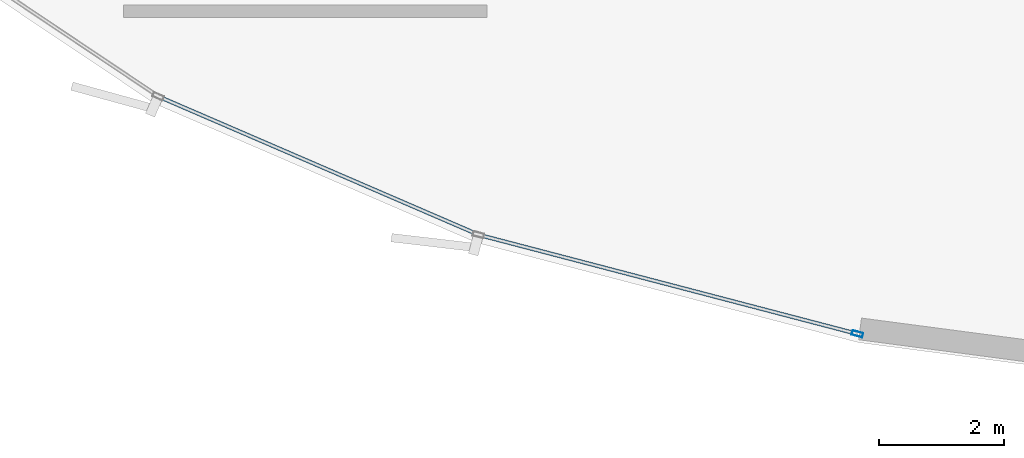
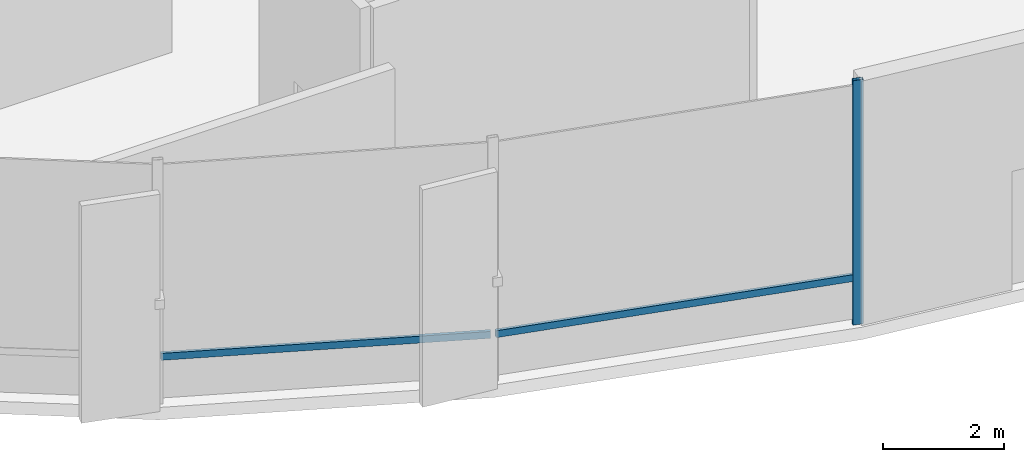
# One storey, part 3 of 35: 3 members, 1 element without a shape of its own.
"""IFC4 building model written with IfcOpenShell, lengths in metres."""

from ifc_helpers import new_model, si_unit, direction, frame, origin, origin_2d, place, context, subcontext, project, spatial, hollow_rectangle, extrude, source, transform, mapped, material, layer, layer_set, material_profile, profile_set, type_object, element, aggregate, save


model = new_model("IFC4")

# Units and contexts
model_context = context("Model", 3, precision=1e-05, world=origin(), true_north=direction((0.0, 1.0)))
body_context = subcontext(model_context, "Body", "Model", "MODEL_VIEW")
ifc_project = project(units=[si_unit("LENGTHUNIT", "METRE"), si_unit("AREAUNIT", "SQUARE_METRE"), si_unit("VOLUMEUNIT", "CUBIC_METRE"), si_unit("PLANEANGLEUNIT", "RADIAN"), si_unit("MASSUNIT", "GRAM", prefix="KILO"), si_unit("THERMODYNAMICTEMPERATUREUNIT", "KELVIN")], contexts=[model_context])

# Site, building, storey
site_placement = place(None, origin())
site = spatial("IfcSite", under=ifc_project, at=site_placement, CompositionType="ELEMENT")
building_placement = place(site_placement, origin())
building = spatial("IfcBuilding", under=site, at=building_placement, Name="Kethvar Cultural Tower", CompositionType="ELEMENT")
storey_placement = place(building_placement, origin())
storey = spatial("IfcBuildingStorey", under=building, at=storey_placement, Name="L00", CompositionType="ELEMENT", Elevation=0.0)

# Curtain wall, members
ifc_material = material(Name="Aluminium 6063-T6", Category="aluminium")
ifc_layer = layer(ifc_material, 0.179931640625, Name="Aluminium 6063-T6", Category="aluminium")
ifc_layer_set = layer_set([ifc_layer], Name="Aluminium 6063-T6 (180 mm)")
curtain_wall_type = type_object("IfcCurtainWallType", Name="CW-SYS-01-POD", PredefinedType="NOTDEFINED", material=ifc_layer_set)
curtain_wall_placement = place(storey_placement, origin())
curtain_wall = element("IfcCurtainWall", 1, at=curtain_wall_placement, inside=storey, type_object=curtain_wall_type, Name="L00 Curtain Wall Run 03", PredefinedType="NOTDEFINED")
ifc_material_profile_1 = material_profile(ifc_material, hollow_rectangle(XDim=0.074951171875, YDim=0.179931640625, WallThickness=0.006103515625, at=origin_2d()), Name="Aluminium 6063-T6 — RHS180x75x6")
ifc_profile_set_1 = profile_set([ifc_material_profile_1], Name="Aluminium 6063-T6 — RHS180x75x6")
member_type_1 = type_object("IfcMemberType", Name="CW-SYS-01-POD-MUL", PredefinedType="MULLION", material=ifc_profile_set_1)
shared_shape_1 = source(origin(), body_context, "Body", "SweptSolid", [
    extrude(hollow_rectangle(XDim=0.074951171875, YDim=0.179931640625, WallThickness=0.006103515625, at=origin_2d()), origin(), (0.0, 0.0, 1.0), 4.949951171875),
])
member_1_placement = place(storey_placement, frame((23.935791015625, 1.627685546875, 0.0), z_axis=(0.0, 0.0, 1.0), x_axis=(0.253031946887, 0.967457923558, 0.0)))
member_1 = element("IfcMember", 2, at=member_1_placement, type_object=member_type_1, Name="CW-L00-R03 Mullion 5", PredefinedType="MULLION", context=body_context, shape_type="MappedRepresentation", body=[
    mapped(shared_shape_1, transform((0.0, 0.0, 0.0), scale=1.0)),
])
ifc_material_profile_2 = material_profile(ifc_material, hollow_rectangle(XDim=0.06005859375, YDim=0.139892578125, WallThickness=0.0048828125, at=origin_2d()), Name="Aluminium 6063-T6 — RHS140x60x5")
ifc_profile_set_2 = profile_set([ifc_material_profile_2], Name="Aluminium 6063-T6 — RHS140x60x5")
member_type_2 = type_object("IfcMemberType", Name="CW-SYS-01-POD-TRN", PredefinedType="USERDEFINED", material=ifc_profile_set_2)
shared_shape_2 = source(origin(), body_context, "Body", "SweptSolid", [
    extrude(hollow_rectangle(XDim=0.06005859375, YDim=0.139892578125, WallThickness=0.0048828125, at=origin_2d()), origin(), (0.0, 0.0, 1.0), 5.504638671875),
])
member_2_placement = place(storey_placement, frame((12.77490234375, 5.413818359375, 0.949951171875), z_axis=(0.918072625283, -0.39641222825, 0.0), x_axis=(0.39641222825, 0.918072625283, 0.0)))
member_2 = element("IfcMember", 3, at=member_2_placement, type_object=member_type_2, Name="CW-L00-R03 Transom 3", ObjectType="TRANSOM", PredefinedType="USERDEFINED", context=body_context, shape_type="MappedRepresentation", body=[
    mapped(shared_shape_2, transform((0.0, 0.0, 0.0), scale=1.0)),
])
shared_shape_3 = source(origin(), body_context, "Body", "SweptSolid", [
    extrude(hollow_rectangle(XDim=0.06005859375, YDim=0.139892578125, WallThickness=0.0048828125, at=origin_2d()), origin(), (0.0, 0.0, 1.0), 6.221435546875),
])
member_3_placement = place(storey_placement, frame((17.911865234375, 3.203125, 0.949951171875), z_axis=(0.967458727109, -0.253028874519, 0.0), x_axis=(0.253028874519, 0.967458727109, 0.0)))
member_3 = element("IfcMember", 4, at=member_3_placement, type_object=member_type_2, Name="CW-L00-R03 Transom 4", ObjectType="TRANSOM", PredefinedType="USERDEFINED", context=body_context, shape_type="MappedRepresentation", body=[
    mapped(shared_shape_3, transform((0.0, 0.0, 0.0), scale=1.0)),
])
aggregate(curtain_wall, [member_1, member_2, member_3])

save(model, "model.ifc")
